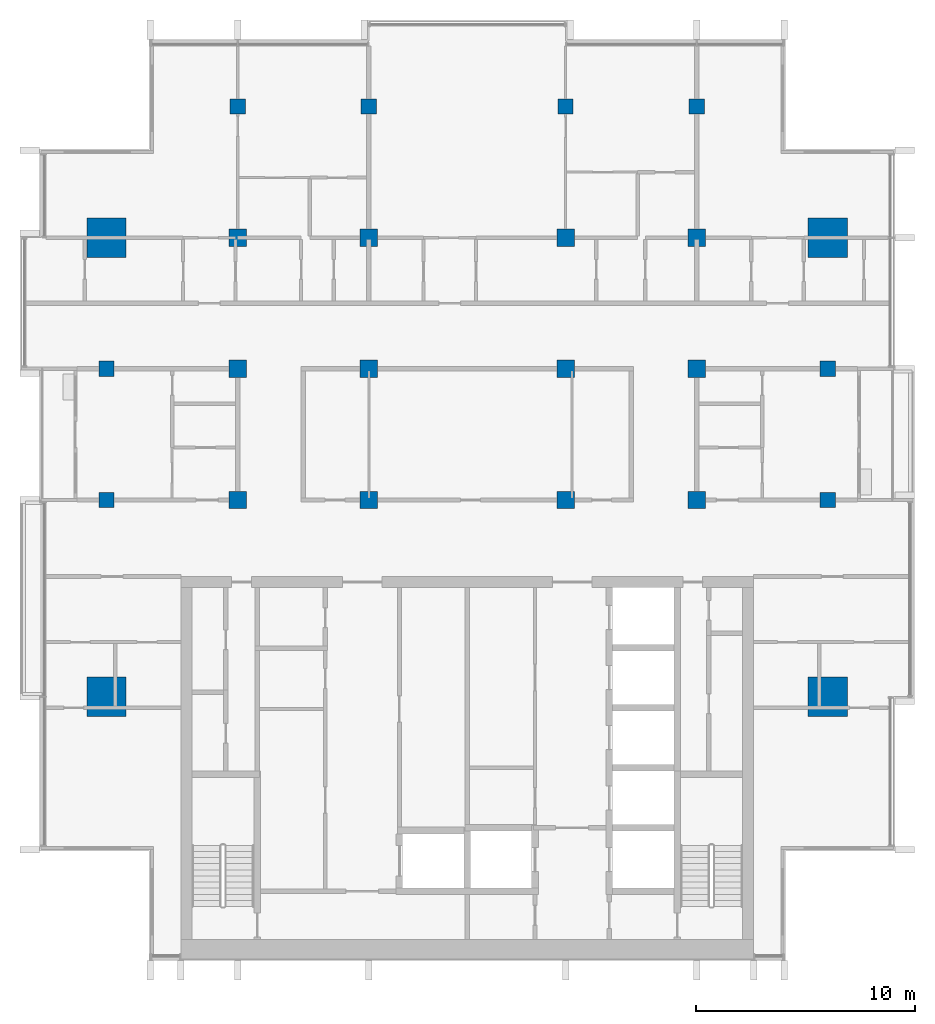
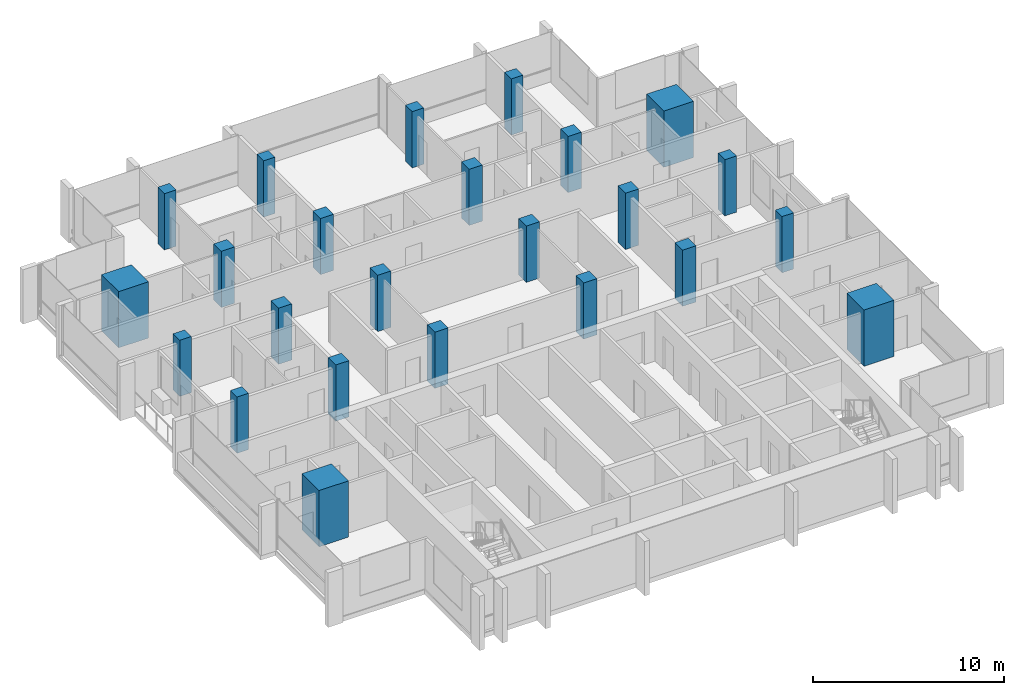
# One storey, part 1 of 16: 24 columns.
"""IFC4 building model written with IfcOpenShell, lengths in metres."""

import ifcopenshell
import ifcopenshell.guid

model = None  # the IFC model being written
_history = None  # IfcOwnerHistory: only IFC2X3 demands one
_inside = {}  # id of a spatial element -> (the spatial element, [elements in it])
_under = {}  # id of a project, library or spatial element -> (it, [spatial elements below it])
_declared = {}  # id of a project -> (the project, [libraries it declares])
_typed = {}  # id of a type object -> (the type object, [elements of that type])
_made_of = {}  # id of a material, layer set ... -> (it, [elements and type objects made of it])


def new_model(schema):
    """Start an empty IFC model of exactly this schema.

    Asked for "IFC4X3", IfcOpenShell would pick the latest addendum, in which some entities
    have other attributes; the version numbers below select the first issue.
    IFC2X3 requires an IfcOwnerHistory on every rooted entity: one is made here for all.
    """
    global model, _history
    if schema == "IFC4X3":
        model = ifcopenshell.file(schema_version=(4, 3, 0, 0))
    else:
        model = ifcopenshell.file(schema=schema)
    _inside.clear()
    _under.clear()
    _declared.clear()
    _typed.clear()
    _made_of.clear()
    _history = None
    if model.schema == "IFC2X3":
        org = make("IfcOrganization", Name="unknown")
        user = make(
            "IfcPersonAndOrganization",
            ThePerson=make("IfcPerson", FamilyName="unknown"),
            TheOrganization=org,
        )
        app = make(
            "IfcApplication",
            ApplicationDeveloper=org,
            Version="unknown",
            ApplicationFullName="unknown",
            ApplicationIdentifier="unknown",
        )
        _history = make(
            "IfcOwnerHistory",
            OwningUser=user,
            OwningApplication=app,
            ChangeAction="ADDED",
            CreationDate=0,
        )
    return model


def make(cls, **values):
    """One entity of the class cls with the attributes given. An attribute that is None is left unset."""
    return model.create_entity(
        cls, **{name: value for name, value in values.items() if value is not None}
    )


def rooted(cls, **values):
    """An entity with a GlobalId (a new one), such as an element, a storey or a relation."""
    return make(cls, GlobalId=ifcopenshell.guid.new(), OwnerHistory=_history, **values)


def si_unit(unit_type, name, prefix=None):
    """IfcSIUnit, for example si_unit("LENGTHUNIT", "METRE", prefix="MILLI")."""
    return make("IfcSIUnit", UnitType=unit_type, Prefix=prefix, Name=name)


def assignment(units):
    """IfcUnitAssignment: the units of a project."""
    return None if units is None else make("IfcUnitAssignment", Units=units)


def point(xyz):
    """IfcCartesianPoint."""
    return None if xyz is None else make("IfcCartesianPoint", Coordinates=xyz)


def direction(xyz):
    """IfcDirection."""
    return None if xyz is None else make("IfcDirection", DirectionRatios=xyz)


def frame(location, z_axis=None, x_axis=None):
    """IfcAxis2Placement3D, a coordinate frame: its origin and axes. An axis left out is left unset."""
    return make(
        "IfcAxis2Placement3D",
        Location=point(location),
        Axis=direction(z_axis),
        RefDirection=direction(x_axis),
    )


def frame_2d(location, x_axis=None):
    """IfcAxis2Placement2D, a coordinate frame in the plane: its origin and x axis."""
    return make(
        "IfcAxis2Placement2D", Location=point(location), RefDirection=direction(x_axis)
    )


def origin():
    """The frame at (0, 0, 0) with its axes left unset."""
    return frame((0.0, 0.0, 0.0))


def origin_2d():
    """The frame at (0, 0) in the plane with its x axis left unset."""
    return frame_2d((0.0, 0.0))


def place(relative_to, where):
    """IfcLocalPlacement: puts the frame where relative to a parent placement (None: the world)."""
    return make(
        "IfcLocalPlacement", PlacementRelTo=relative_to, RelativePlacement=where
    )


def context(
    kind, dimensions, precision=None, world=None, true_north=None, identifier=None
):
    """IfcGeometricRepresentationContext, for example the 3D "Model" context."""
    return make(
        "IfcGeometricRepresentationContext",
        ContextIdentifier=identifier,
        ContextType=kind,
        CoordinateSpaceDimension=dimensions,
        Precision=precision,
        WorldCoordinateSystem=world,
        TrueNorth=true_north,
    )


def subcontext(parent, identifier, kind, view, scale=None):
    """IfcGeometricRepresentationSubContext, for example "Body" below "Model"."""
    return make(
        "IfcGeometricRepresentationSubContext",
        ContextIdentifier=identifier,
        ContextType=kind,
        ParentContext=parent,
        TargetScale=scale,
        TargetView=view,
    )


def project(units=None, contexts=None):
    """IfcProject with its units and contexts."""
    return rooted(
        "IfcProject",
        Name="project",
        RepresentationContexts=contexts,
        UnitsInContext=assignment(units),
    )


def spatial(cls, under=None, at=None, **own):
    """A site, building, storey or space (cls), placed at a placement, below another one or the project."""
    s = rooted(cls, ObjectPlacement=at, **own)
    if under is not None:
        _under.setdefault(under.id(), (under, []))[1].append(s)
    return s


def profile(cls, at=None, kind="AREA", **sizes):
    """A parametric profile (cls). Its sizes go by their IFC names, for example OverallWidth=200.0."""
    return make(cls, ProfileType=kind, Position=at, **sizes)


def rectangle(**sizes):
    """IfcRectangleProfileDef."""
    return profile("IfcRectangleProfileDef", **sizes)


def extrude(swept, where, along, depth):
    """IfcExtrudedAreaSolid: the profile swept, set in the frame where, extruded along a direction by depth."""
    return make(
        "IfcExtrudedAreaSolid",
        SweptArea=swept,
        Position=where,
        ExtrudedDirection=direction(along),
        Depth=depth,
    )


def shape(context_of_items, identifier, shape_type, items):
    """IfcShapeRepresentation: the items that make up one representation, for example the "Body"."""
    return make(
        "IfcShapeRepresentation",
        ContextOfItems=context_of_items,
        RepresentationIdentifier=identifier,
        RepresentationType=shape_type,
        Items=items,
    )


def material(Name=None, Category=None):
    """IfcMaterial."""
    return make("IfcMaterial", Name=Name, Category=Category)


def material_profile(
    of_material, cross_section, Name=None, Category=None, Priority=None
):
    """IfcMaterialProfile: a cross section and its material."""
    return make(
        "IfcMaterialProfile",
        Name=Name,
        Material=of_material,
        Profile=cross_section,
        Priority=Priority,
        Category=Category,
    )


def profile_set(profiles, Name=None, composite=None):
    """IfcMaterialProfileSet."""
    return make(
        "IfcMaterialProfileSet",
        Name=Name,
        MaterialProfiles=profiles,
        CompositeProfile=composite,
    )


def made_of(thing, what):
    """Note that an element or type object is made of a material, layer set ...; save() writes the relation."""
    if what is not None:
        _made_of.setdefault(what.id(), (what, []))[1].append(thing)
    return thing


def type_object(cls, material=None, **own):
    """A type object (cls), such as IfcWallType, which elements share."""
    return made_of(rooted(cls, **own), material)


def element(
    cls,
    number,
    at=None,
    inside=None,
    cuts=None,
    type_object=None,
    material=None,
    context=None,
    identifier="Body",
    shape_type=None,
    held_by="IfcProductDefinitionShape",
    body=None,
    shapes=None,
    **own,
):
    """One element of the class cls, such as IfcWall. Its Tag is "e" and its number.

    at: its placement. inside: the storey or other place that contains it. cuts: it is an
    opening in that element (IfcRelVoidsElement). A single representation is given by context,
    identifier, shape_type and body (its items); several are given by shapes. held_by: the class
    of the entity that holds the representations. save() writes the other relations.
    """
    e = rooted(cls, Tag="e%d" % number, ObjectPlacement=at, **own)
    if body is not None:
        shapes = [shape(context, identifier, shape_type, body)]
    if shapes is not None:
        e.Representation = make(held_by, Representations=shapes)
    if inside is not None:
        _inside.setdefault(inside.id(), (inside, []))[1].append(e)
    if cuts is not None:
        rooted(
            "IfcRelVoidsElement", RelatingBuildingElement=cuts, RelatedOpeningElement=e
        )
    if type_object is not None:
        _typed.setdefault(type_object.id(), (type_object, []))[1].append(e)
    return made_of(e, material)


def aggregate(whole, parts):
    """IfcRelAggregates: a whole, such as a stair, and the parts it consists of."""
    return rooted("IfcRelAggregates", RelatingObject=whole, RelatedObjects=parts)


def save(model, path):
    """Write the relations noted so far, then the file.

    IfcRelAggregates (storeys below a building ...), IfcRelContainedInSpatialStructure (elements
    in a storey), IfcRelDefinesByType, IfcRelAssociatesMaterial and IfcRelDeclares: one each for
    every whole, place, type object, material and project.
    """
    for whole, parts in _under.values():
        aggregate(whole, parts)
    for where, things in _inside.values():
        rooted(
            "IfcRelContainedInSpatialStructure",
            RelatedElements=things,
            RelatingStructure=where,
        )
    for kind, things in _typed.values():
        rooted("IfcRelDefinesByType", RelatedObjects=things, RelatingType=kind)
    for what, things in _made_of.values():
        rooted("IfcRelAssociatesMaterial", RelatedObjects=things, RelatingMaterial=what)
    for by, libraries in _declared.values():
        rooted("IfcRelDeclares", RelatingContext=by, RelatedDefinitions=libraries)
    model.write(path)


model = new_model("IFC4")

# Units and contexts
model_context = context("Model", 3, precision=1e-05, world=origin(), true_north=direction((0.0, 1.0)))
body_context = subcontext(model_context, "Body", "Model", "MODEL_VIEW")
ifc_project = project(units=[si_unit("LENGTHUNIT", "METRE"), si_unit("AREAUNIT", "SQUARE_METRE"), si_unit("VOLUMEUNIT", "CUBIC_METRE"), si_unit("PLANEANGLEUNIT", "RADIAN"), si_unit("MASSUNIT", "GRAM", prefix="KILO")], contexts=[model_context])

# Site, building, storey
site_placement = place(None, origin())
site = spatial("IfcSite", under=ifc_project, at=site_placement, CompositionType="ELEMENT")
building_placement = place(site_placement, origin())
building = spatial("IfcBuilding", under=site, at=building_placement, Name="Finial Court Residences", CompositionType="ELEMENT")
storey_placement = place(building_placement, frame((0.0, 0.0, 295.10009765625)))
storey = spatial("IfcBuildingStorey", under=building, at=storey_placement, Name="L75", CompositionType="ELEMENT", Elevation=295.10009765625)

# Columns
ifc_material = material(Name="Concrete C50/60", Category="concrete")
ifc_material_profile_1 = material_profile(ifc_material, rectangle(XDim=0.800048828125, YDim=0.800048828125, at=origin_2d()), Name="800x800")
ifc_profile_set_1 = profile_set([ifc_material_profile_1], Name="Concrete C50/60")
column_type_1 = type_object("IfcColumnType", Name="Interior column 800x800 Concrete C50/60", PredefinedType="COLUMN", material=ifc_profile_set_1)
for number, where, z_axis, x_axis, name in (
    (1, (-10.5, -4.5, 0.0), (0.0, 0.0, 1.0), (1.0, 0.0, 0.0), "S:COL:L75:D4"),
    (2, (-10.5, 1.5, 0.0), (0.0, 0.0, 1.0), (1.0, 0.0, 0.0), "S:COL:L75:D5"),
    (3, (-10.5, 7.5, 0.0), (0.0, 0.0, 1.0), (1.0, 0.0, 0.0), "S:COL:L75:D6"),
    (4, (-4.5, -4.5, 0.0), (0.0, 0.0, 1.0), (1.0, 0.0, 0.0), "S:COL:L75:E4"),
    (5, (-4.5, 1.5, 0.0), (0.0, 0.0, 1.0), (1.0, 0.0, 0.0), "S:COL:L75:E5"),
    (6, (-4.5, 7.5, 0.0), (0.0, 0.0, 1.0), (1.0, 0.0, 0.0), "S:COL:L75:E6"),
    (7, (4.5, -4.5, 0.0), (0.0, 0.0, 1.0), (1.0, 0.0, 0.0), "S:COL:L75:F4"),
    (8, (4.5, 1.5, 0.0), (0.0, 0.0, 1.0), (1.0, 0.0, 0.0), "S:COL:L75:F5"),
    (9, (4.5, 7.5, 0.0), (0.0, 0.0, 1.0), (1.0, 0.0, 0.0), "S:COL:L75:F6"),
    (10, (10.5, -4.5, 0.0), (0.0, 0.0, 1.0), (1.0, 0.0, 0.0), "S:COL:L75:G4"),
    (11, (10.5, 1.5, 0.0), (0.0, 0.0, 1.0), (1.0, 0.0, 0.0), "S:COL:L75:G5"),
    (12, (10.5, 7.5, 0.0), (0.0, 0.0, 1.0), (1.0, 0.0, 0.0), "S:COL:L75:G6"),
):
    element("IfcColumn", number, at=place(storey_placement, frame(where, z_axis=z_axis, x_axis=x_axis)), inside=storey, type_object=column_type_1, Name=name, PredefinedType="COLUMN", context=body_context, shape_type="SweptSolid", body=[
        extrude(rectangle(XDim=0.800048828125, YDim=0.800048828125, at=origin_2d()), origin(), (0.0, 0.0, 1.0), 3.599853515625),
    ])
ifc_material_profile_2 = material_profile(ifc_material, rectangle(XDim=1.800048828125, YDim=1.800048828125, at=origin_2d()), Name="1800x1800")
ifc_profile_set_2 = profile_set([ifc_material_profile_2], Name="Concrete C50/60")
column_type_2 = type_object("IfcColumnType", Name="Mega column 1800x1800 Concrete C50/60", PredefinedType="COLUMN", material=ifc_profile_set_2)
for number, where, z_axis, x_axis, name in (
    (13, (-16.5, -13.5, 0.0), (0.0, 0.0, 1.0), (1.0, 0.0, 0.0), "S:COL:L75:C3"),
    (14, (-16.5, 7.5, 0.0), (0.0, 0.0, 1.0), (1.0, 0.0, 0.0), "S:COL:L75:C6"),
    (15, (16.5, -13.5, 0.0), (0.0, 0.0, 1.0), (1.0, 0.0, 0.0), "S:COL:L75:H3"),
    (16, (16.5, 7.5, 0.0), (0.0, 0.0, 1.0), (1.0, 0.0, 0.0), "S:COL:L75:H6"),
):
    element("IfcColumn", number, at=place(storey_placement, frame(where, z_axis=z_axis, x_axis=x_axis)), inside=storey, type_object=column_type_2, Name=name, PredefinedType="COLUMN", context=body_context, shape_type="SweptSolid", body=[
        extrude(rectangle(XDim=1.800048828125, YDim=1.800048828125, at=origin_2d()), origin(), (0.0, 0.0, 1.0), 3.599853515625),
    ])
ifc_material_profile_3 = material_profile(ifc_material, rectangle(XDim=0.699951171875, YDim=0.699951171875, at=origin_2d()), Name="700x700")
ifc_profile_set_3 = profile_set([ifc_material_profile_3], Name="Concrete C50/60")
column_type_3 = type_object("IfcColumnType", Name="Perimeter column 700x700 Concrete C50/60", PredefinedType="COLUMN", material=ifc_profile_set_3)
for number, where, z_axis, x_axis, name in (
    (17, (-16.5, -4.5, 0.0), (0.0, 0.0, 1.0), (1.0, 0.0, 0.0), "S:COL:L75:C4"),
    (18, (-16.5, 1.5, 0.0), (0.0, 0.0, 1.0), (1.0, 0.0, 0.0), "S:COL:L75:C5"),
    (19, (-10.5, 13.5, 0.0), (0.0, 0.0, 1.0), (1.0, 0.0, 0.0), "S:COL:L75:D7"),
    (20, (-4.5, 13.5, 0.0), (0.0, 0.0, 1.0), (1.0, 0.0, 0.0), "S:COL:L75:E7"),
    (21, (4.5, 13.5, 0.0), (0.0, 0.0, 1.0), (1.0, 0.0, 0.0), "S:COL:L75:F7"),
    (22, (10.5, 13.5, 0.0), (0.0, 0.0, 1.0), (1.0, 0.0, 0.0), "S:COL:L75:G7"),
    (23, (16.5, -4.5, 0.0), (0.0, 0.0, 1.0), (1.0, 0.0, 0.0), "S:COL:L75:H4"),
    (24, (16.5, 1.5, 0.0), (0.0, 0.0, 1.0), (1.0, 0.0, 0.0), "S:COL:L75:H5"),
):
    element("IfcColumn", number, at=place(storey_placement, frame(where, z_axis=z_axis, x_axis=x_axis)), inside=storey, type_object=column_type_3, Name=name, PredefinedType="COLUMN", context=body_context, shape_type="SweptSolid", body=[
        extrude(rectangle(XDim=0.699951171875, YDim=0.699951171875, at=origin_2d()), origin(), (0.0, 0.0, 1.0), 3.599853515625),
    ])

save(model, "model.ifc")
